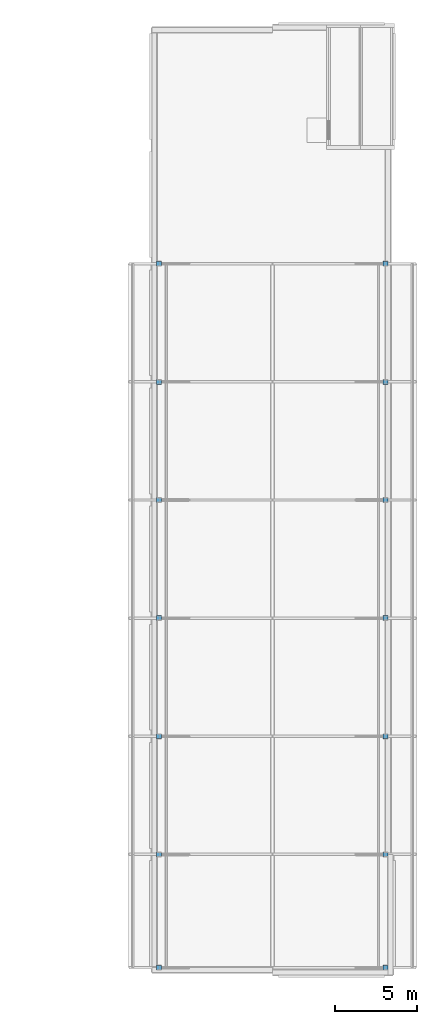
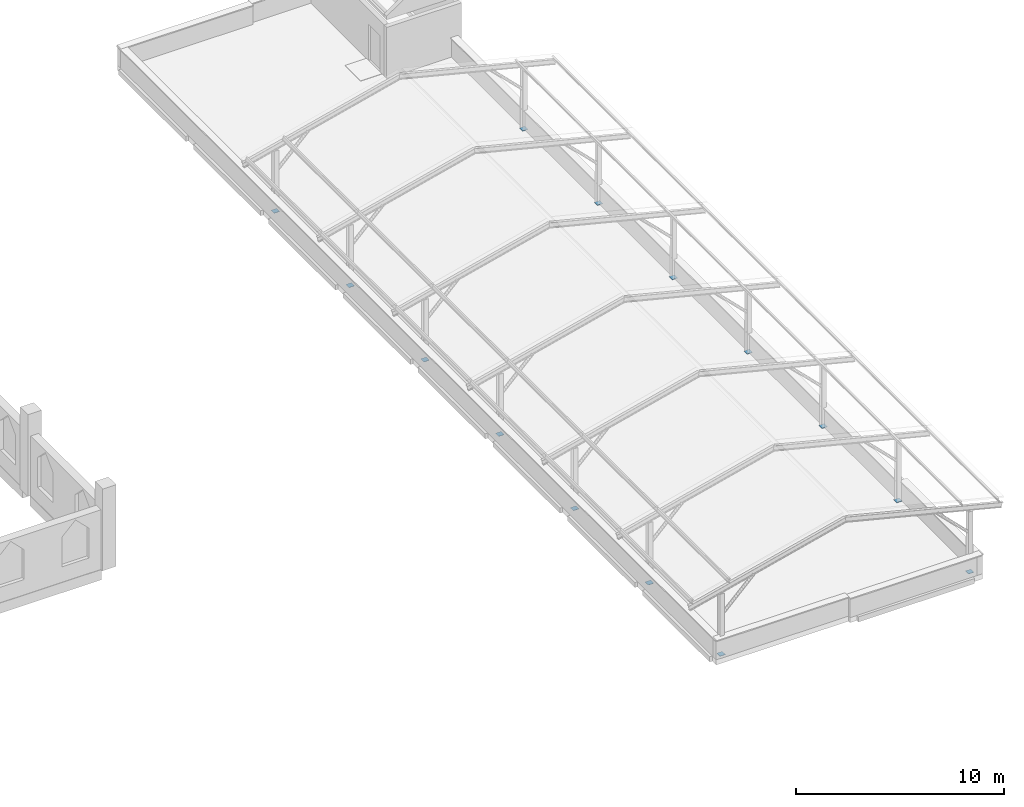
# One storey, part 28 of 30: 14 discrete accessories.
"""IFC4 building model written with IfcOpenShell, lengths in metres."""

from ifc_helpers import new_model, si_unit, direction, frame, origin, origin_2d, place, context, subcontext, project, spatial, rectangle, extrude, material, element, save


model = new_model("IFC4")

# Units and contexts
model_context = context("Model", 3, precision=1e-05, world=origin(), true_north=direction((0.0, 1.0)))
body_context = subcontext(model_context, "Body", "Model", "MODEL_VIEW")
ifc_project = project(units=[si_unit("LENGTHUNIT", "METRE"), si_unit("AREAUNIT", "SQUARE_METRE"), si_unit("VOLUMEUNIT", "CUBIC_METRE"), si_unit("PLANEANGLEUNIT", "RADIAN"), si_unit("MASSUNIT", "GRAM", prefix="KILO")], contexts=[model_context])

# Site, building, storey
site_placement = place(None, origin())
site = spatial("IfcSite", under=ifc_project, at=site_placement, CompositionType="ELEMENT")
building_placement = place(site_placement, origin())
building = spatial("IfcBuilding", under=site, at=building_placement, Name="Silangan Lancet Faculty of Sciences", CompositionType="ELEMENT")
storey_placement = place(building_placement, frame((0.0, 0.0, 31.199951171875)))
storey = spatial("IfcBuildingStorey", under=building, at=storey_placement, Name="L06", CompositionType="ELEMENT", Elevation=31.199951171875)

# Discrete accessories
ifc_material = material(Name="Steel SS400", Category="steel")
for number, where, z_axis, x_axis, name in (
    (1, (72.300048828125, 0.300048828125, 0.0), (0.0, 0.0, 1.0), (1.0, 0.0, 0.0), "Post base plate"),
    (2, (86.10009765625, 0.300048828125, 0.0), (0.0, 0.0, 1.0), (1.0, 0.0, 0.0), "Post base plate"),
    (3, (72.300048828125, 7.199951171875, 0.0), (0.0, 0.0, 1.0), (1.0, 0.0, 0.0), "Post base plate"),
    (4, (86.10009765625, 7.199951171875, 0.0), (0.0, 0.0, 1.0), (1.0, 0.0, 0.0), "Post base plate"),
    (5, (72.300048828125, 14.39990234375, 0.0), (0.0, 0.0, 1.0), (1.0, 0.0, 0.0), "Post base plate"),
    (6, (86.10009765625, 14.39990234375, 0.0), (0.0, 0.0, 1.0), (1.0, 0.0, 0.0), "Post base plate"),
    (7, (72.300048828125, 21.60009765625, 0.0), (0.0, 0.0, 1.0), (1.0, 0.0, 0.0), "Post base plate"),
    (8, (86.10009765625, 21.60009765625, 0.0), (0.0, 0.0, 1.0), (1.0, 0.0, 0.0), "Post base plate"),
    (9, (72.300048828125, 28.800048828125, 0.0), (0.0, 0.0, 1.0), (1.0, 0.0, 0.0), "Post base plate"),
    (10, (86.10009765625, 28.800048828125, 0.0), (0.0, 0.0, 1.0), (1.0, 0.0, 0.0), "Post base plate"),
    (11, (72.300048828125, 36.0, 0.0), (0.0, 0.0, 1.0), (1.0, 0.0, 0.0), "Post base plate"),
    (12, (86.10009765625, 36.0, 0.0), (0.0, 0.0, 1.0), (1.0, 0.0, 0.0), "Post base plate"),
    (13, (72.300048828125, 43.199951171875, 0.0), (0.0, 0.0, 1.0), (1.0, 0.0, 0.0), "Post base plate"),
    (14, (86.10009765625, 43.199951171875, 0.0), (0.0, 0.0, 1.0), (1.0, 0.0, 0.0), "Post base plate"),
):
    element("IfcDiscreteAccessory", number, at=place(storey_placement, frame(where, z_axis=z_axis, x_axis=x_axis)), inside=storey, material=ifc_material, Name=name, PredefinedType="ANCHORPLATE", context=body_context, shape_type="SweptSolid", body=[
        extrude(rectangle(XDim=0.300048828125, YDim=0.300048828125, at=origin_2d()), origin(), (0.0, 0.0, 1.0), 0.02001953125),
    ])

save(model, "model.ifc")
